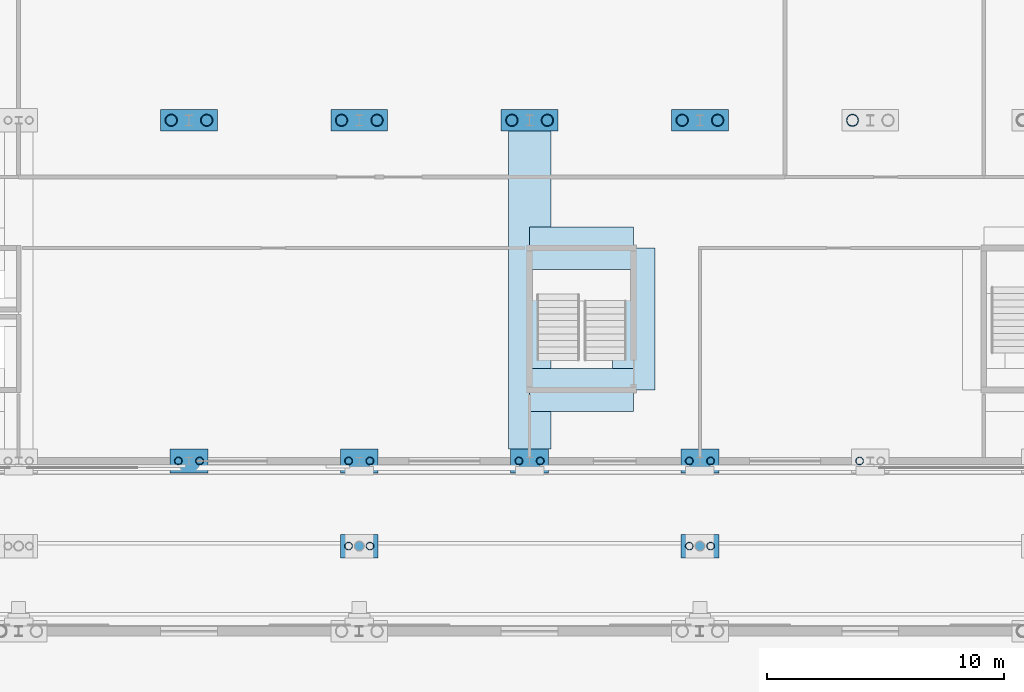
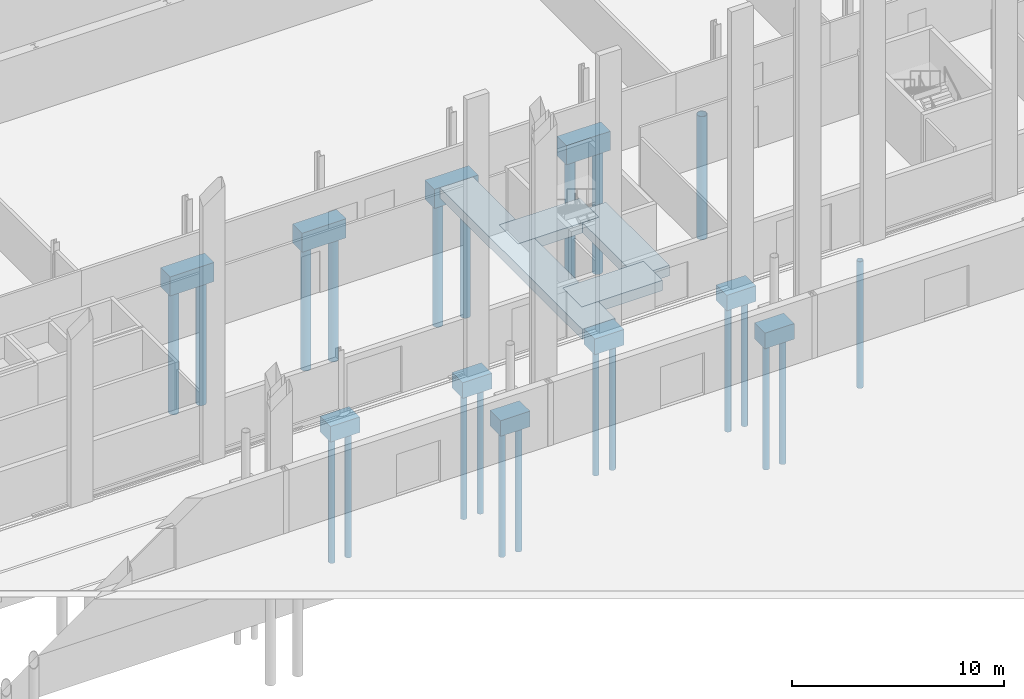
# One storey, part 30 of 148: 22 piles, 14 footings.
"""IFC4 building model written with IfcOpenShell, lengths in metres."""

import ifcopenshell
import ifcopenshell.guid

model = None  # the IFC model being written
_history = None  # IfcOwnerHistory: only IFC2X3 demands one
_inside = {}  # id of a spatial element -> (the spatial element, [elements in it])
_under = {}  # id of a project, library or spatial element -> (it, [spatial elements below it])
_declared = {}  # id of a project -> (the project, [libraries it declares])
_typed = {}  # id of a type object -> (the type object, [elements of that type])
_made_of = {}  # id of a material, layer set ... -> (it, [elements and type objects made of it])


def new_model(schema):
    """Start an empty IFC model of exactly this schema.

    Asked for "IFC4X3", IfcOpenShell would pick the latest addendum, in which some entities
    have other attributes; the version numbers below select the first issue.
    IFC2X3 requires an IfcOwnerHistory on every rooted entity: one is made here for all.
    """
    global model, _history
    if schema == "IFC4X3":
        model = ifcopenshell.file(schema_version=(4, 3, 0, 0))
    else:
        model = ifcopenshell.file(schema=schema)
    _inside.clear()
    _under.clear()
    _declared.clear()
    _typed.clear()
    _made_of.clear()
    _history = None
    if model.schema == "IFC2X3":
        org = make("IfcOrganization", Name="unknown")
        user = make(
            "IfcPersonAndOrganization",
            ThePerson=make("IfcPerson", FamilyName="unknown"),
            TheOrganization=org,
        )
        app = make(
            "IfcApplication",
            ApplicationDeveloper=org,
            Version="unknown",
            ApplicationFullName="unknown",
            ApplicationIdentifier="unknown",
        )
        _history = make(
            "IfcOwnerHistory",
            OwningUser=user,
            OwningApplication=app,
            ChangeAction="ADDED",
            CreationDate=0,
        )
    return model


def make(cls, **values):
    """One entity of the class cls with the attributes given. An attribute that is None is left unset."""
    return model.create_entity(
        cls, **{name: value for name, value in values.items() if value is not None}
    )


def rooted(cls, **values):
    """An entity with a GlobalId (a new one), such as an element, a storey or a relation."""
    return make(cls, GlobalId=ifcopenshell.guid.new(), OwnerHistory=_history, **values)


def si_unit(unit_type, name, prefix=None):
    """IfcSIUnit, for example si_unit("LENGTHUNIT", "METRE", prefix="MILLI")."""
    return make("IfcSIUnit", UnitType=unit_type, Prefix=prefix, Name=name)


def assignment(units):
    """IfcUnitAssignment: the units of a project."""
    return None if units is None else make("IfcUnitAssignment", Units=units)


def point(xyz):
    """IfcCartesianPoint."""
    return None if xyz is None else make("IfcCartesianPoint", Coordinates=xyz)


def direction(xyz):
    """IfcDirection."""
    return None if xyz is None else make("IfcDirection", DirectionRatios=xyz)


def frame(location, z_axis=None, x_axis=None):
    """IfcAxis2Placement3D, a coordinate frame: its origin and axes. An axis left out is left unset."""
    return make(
        "IfcAxis2Placement3D",
        Location=point(location),
        Axis=direction(z_axis),
        RefDirection=direction(x_axis),
    )


def frame_2d(location, x_axis=None):
    """IfcAxis2Placement2D, a coordinate frame in the plane: its origin and x axis."""
    return make(
        "IfcAxis2Placement2D", Location=point(location), RefDirection=direction(x_axis)
    )


def origin():
    """The frame at (0, 0, 0) with its axes left unset."""
    return frame((0.0, 0.0, 0.0))


def origin_2d():
    """The frame at (0, 0) in the plane with its x axis left unset."""
    return frame_2d((0.0, 0.0))


def place(relative_to, where):
    """IfcLocalPlacement: puts the frame where relative to a parent placement (None: the world)."""
    return make(
        "IfcLocalPlacement", PlacementRelTo=relative_to, RelativePlacement=where
    )


def context(
    kind, dimensions, precision=None, world=None, true_north=None, identifier=None
):
    """IfcGeometricRepresentationContext, for example the 3D "Model" context."""
    return make(
        "IfcGeometricRepresentationContext",
        ContextIdentifier=identifier,
        ContextType=kind,
        CoordinateSpaceDimension=dimensions,
        Precision=precision,
        WorldCoordinateSystem=world,
        TrueNorth=true_north,
    )


def subcontext(parent, identifier, kind, view, scale=None):
    """IfcGeometricRepresentationSubContext, for example "Body" below "Model"."""
    return make(
        "IfcGeometricRepresentationSubContext",
        ContextIdentifier=identifier,
        ContextType=kind,
        ParentContext=parent,
        TargetScale=scale,
        TargetView=view,
    )


def project(units=None, contexts=None):
    """IfcProject with its units and contexts."""
    return rooted(
        "IfcProject",
        Name="project",
        RepresentationContexts=contexts,
        UnitsInContext=assignment(units),
    )


def spatial(cls, under=None, at=None, **own):
    """A site, building, storey or space (cls), placed at a placement, below another one or the project."""
    s = rooted(cls, ObjectPlacement=at, **own)
    if under is not None:
        _under.setdefault(under.id(), (under, []))[1].append(s)
    return s


def profile(cls, at=None, kind="AREA", **sizes):
    """A parametric profile (cls). Its sizes go by their IFC names, for example OverallWidth=200.0."""
    return make(cls, ProfileType=kind, Position=at, **sizes)


def rectangle(**sizes):
    """IfcRectangleProfileDef."""
    return profile("IfcRectangleProfileDef", **sizes)


def hollow_circle(**sizes):
    """IfcCircleHollowProfileDef."""
    return profile("IfcCircleHollowProfileDef", **sizes)


def extrude(swept, where, along, depth):
    """IfcExtrudedAreaSolid: the profile swept, set in the frame where, extruded along a direction by depth."""
    return make(
        "IfcExtrudedAreaSolid",
        SweptArea=swept,
        Position=where,
        ExtrudedDirection=direction(along),
        Depth=depth,
    )


def shape(context_of_items, identifier, shape_type, items):
    """IfcShapeRepresentation: the items that make up one representation, for example the "Body"."""
    return make(
        "IfcShapeRepresentation",
        ContextOfItems=context_of_items,
        RepresentationIdentifier=identifier,
        RepresentationType=shape_type,
        Items=items,
    )


def material(Name=None, Category=None):
    """IfcMaterial."""
    return make("IfcMaterial", Name=Name, Category=Category)


def layer(
    of_material, thickness, ventilated=None, Name=None, Category=None, Priority=None
):
    """IfcMaterialLayer: one layer of a wall or slab, of a material (None: an air gap)."""
    return make(
        "IfcMaterialLayer",
        Material=of_material,
        LayerThickness=thickness,
        IsVentilated=ventilated,
        Name=Name,
        Category=Category,
        Priority=Priority,
    )


def layer_set(layers, Name=None):
    """IfcMaterialLayerSet."""
    return make("IfcMaterialLayerSet", MaterialLayers=layers, LayerSetName=Name)


def material_profile(
    of_material, cross_section, Name=None, Category=None, Priority=None
):
    """IfcMaterialProfile: a cross section and its material."""
    return make(
        "IfcMaterialProfile",
        Name=Name,
        Material=of_material,
        Profile=cross_section,
        Priority=Priority,
        Category=Category,
    )


def profile_set(profiles, Name=None, composite=None):
    """IfcMaterialProfileSet."""
    return make(
        "IfcMaterialProfileSet",
        Name=Name,
        MaterialProfiles=profiles,
        CompositeProfile=composite,
    )


def made_of(thing, what):
    """Note that an element or type object is made of a material, layer set ...; save() writes the relation."""
    if what is not None:
        _made_of.setdefault(what.id(), (what, []))[1].append(thing)
    return thing


def type_object(cls, material=None, **own):
    """A type object (cls), such as IfcWallType, which elements share."""
    return made_of(rooted(cls, **own), material)


def element(
    cls,
    number,
    at=None,
    inside=None,
    cuts=None,
    type_object=None,
    material=None,
    context=None,
    identifier="Body",
    shape_type=None,
    held_by="IfcProductDefinitionShape",
    body=None,
    shapes=None,
    **own,
):
    """One element of the class cls, such as IfcWall. Its Tag is "e" and its number.

    at: its placement. inside: the storey or other place that contains it. cuts: it is an
    opening in that element (IfcRelVoidsElement). A single representation is given by context,
    identifier, shape_type and body (its items); several are given by shapes. held_by: the class
    of the entity that holds the representations. save() writes the other relations.
    """
    e = rooted(cls, Tag="e%d" % number, ObjectPlacement=at, **own)
    if body is not None:
        shapes = [shape(context, identifier, shape_type, body)]
    if shapes is not None:
        e.Representation = make(held_by, Representations=shapes)
    if inside is not None:
        _inside.setdefault(inside.id(), (inside, []))[1].append(e)
    if cuts is not None:
        rooted(
            "IfcRelVoidsElement", RelatingBuildingElement=cuts, RelatedOpeningElement=e
        )
    if type_object is not None:
        _typed.setdefault(type_object.id(), (type_object, []))[1].append(e)
    return made_of(e, material)


def aggregate(whole, parts):
    """IfcRelAggregates: a whole, such as a stair, and the parts it consists of."""
    return rooted("IfcRelAggregates", RelatingObject=whole, RelatedObjects=parts)


def save(model, path):
    """Write the relations noted so far, then the file.

    IfcRelAggregates (storeys below a building ...), IfcRelContainedInSpatialStructure (elements
    in a storey), IfcRelDefinesByType, IfcRelAssociatesMaterial and IfcRelDeclares: one each for
    every whole, place, type object, material and project.
    """
    for whole, parts in _under.values():
        aggregate(whole, parts)
    for where, things in _inside.values():
        rooted(
            "IfcRelContainedInSpatialStructure",
            RelatedElements=things,
            RelatingStructure=where,
        )
    for kind, things in _typed.values():
        rooted("IfcRelDefinesByType", RelatedObjects=things, RelatingType=kind)
    for what, things in _made_of.values():
        rooted("IfcRelAssociatesMaterial", RelatedObjects=things, RelatingMaterial=what)
    for by, libraries in _declared.values():
        rooted("IfcRelDeclares", RelatingContext=by, RelatedDefinitions=libraries)
    model.write(path)


model = new_model("IFC4")

# Units and contexts
model_context = context("Model", 3, precision=1e-05, world=origin(), true_north=direction((0.0, 1.0)))
body_context = subcontext(model_context, "Body", "Model", "MODEL_VIEW")
ifc_project = project(units=[si_unit("LENGTHUNIT", "METRE"), si_unit("AREAUNIT", "SQUARE_METRE"), si_unit("VOLUMEUNIT", "CUBIC_METRE"), si_unit("PLANEANGLEUNIT", "RADIAN"), si_unit("MASSUNIT", "GRAM", prefix="KILO")], contexts=[model_context])

# Site, building, storey
site_placement = place(None, origin())
site = spatial("IfcSite", under=ifc_project, at=site_placement, CompositionType="ELEMENT")
building_placement = place(site_placement, origin())
building = spatial("IfcBuilding", under=site, at=building_placement, Name="Kupolbacken Congress Centre", CompositionType="ELEMENT")
storey_placement = place(building_placement, origin())
storey = spatial("IfcBuildingStorey", under=building, at=storey_placement, Name="L00", CompositionType="ELEMENT", Elevation=0.0)

# Footings
ifc_material_1 = material(Name="Concrete C30/37", Category="concrete")
ifc_layer_1 = layer(ifc_material_1, 1.10009765625)
ifc_layer_set_1 = layer_set([ifc_layer_1], Name="Concrete C30/37")
footing_type_1 = type_object("IfcFootingType", Name="PC2 pile cap 2.40 x 0.90 x 1.10 m", PredefinedType="PILE_CAP", material=ifc_layer_set_1)
for number, where, z_axis, x_axis, name in (
    (1, (158.39990234375, 136.800048828125, -1.400146484375), (0.0, 0.0, 1.0), (1.0, 0.0, 0.0), "S/fnd/C-B-M1/cap"),
    (2, (165.60009765625, 136.800048828125, -1.400146484375), (0.0, 0.0, 1.0), (1.0, 0.0, 0.0), "S/fnd/C-B-M2/cap"),
    (3, (172.800048828125, 136.800048828125, -1.400146484375), (0.0, 0.0, 1.0), (1.0, 0.0, 0.0), "S/fnd/C-B-M3/cap"),
    (4, (180.0, 136.800048828125, -1.400146484375), (0.0, 0.0, 1.0), (1.0, 0.0, 0.0), "S/fnd/C-B-M4/cap"),
):
    element("IfcFooting", number, at=place(storey_placement, frame(where, z_axis=z_axis, x_axis=x_axis)), inside=storey, type_object=footing_type_1, Name=name, PredefinedType="PILE_CAP", context=body_context, shape_type="SweptSolid", body=[
        extrude(rectangle(XDim=2.39990234375, YDim=0.89990234375, at=origin_2d()), origin(), (0.0, 0.0, 1.0), 1.10009765625),
    ])
ifc_material_2 = material(Name="Concrete C30/37", Category="concrete")
ifc_layer_2 = layer(ifc_material_2, 0.89990234375)
ifc_layer_set_2 = layer_set([ifc_layer_2], Name="Concrete C30/37")
footing_type_2 = type_object("IfcFootingType", Name="PC7 pile cap 1.60 x 1.00 x 0.90 m", PredefinedType="PILE_CAP", material=ifc_layer_set_2)
for number, where, z_axis, x_axis, name in (
    (5, (158.39990234375, 122.39990234375, -1.199951171875), (0.0, 0.0, 1.0), (1.0, 0.0, 0.0), "S/fnd/C-B-B2S/cap"),
    (6, (165.60009765625, 122.39990234375, -1.199951171875), (0.0, 0.0, 1.0), (1.0, 0.0, 0.0), "S/fnd/C-B-B3S/cap"),
    (7, (172.800048828125, 122.39990234375, -1.199951171875), (0.0, 0.0, 1.0), (1.0, 0.0, 0.0), "S/fnd/C-B-B4S/cap"),
    (8, (180.0, 122.39990234375, -1.199951171875), (0.0, 0.0, 1.0), (1.0, 0.0, 0.0), "S/fnd/C-B-B5S/cap"),
    (9, (165.60009765625, 118.800048828125, -1.199951171875), (0.0, 0.0, 1.0), (1.0, 0.0, 0.0), "MS/M6N/fnd/cap"),
    (10, (180.0, 118.800048828125, -1.199951171875), (0.0, 0.0, 1.0), (1.0, 0.0, 0.0), "MS/M7N/fnd/cap"),
):
    element("IfcFooting", number, at=place(storey_placement, frame(where, z_axis=z_axis, x_axis=x_axis)), inside=storey, type_object=footing_type_2, Name=name, PredefinedType="PILE_CAP", context=body_context, shape_type="SweptSolid", body=[
        extrude(rectangle(XDim=1.60009765625, YDim=1.0, at=origin_2d()), origin(), (0.0, 0.0, 1.0), 0.89990234375),
    ])

# Piles
ifc_material_3 = material(Name="Steel S355", Category="steel")
ifc_material_profile_1 = material_profile(ifc_material_3, hollow_circle(Radius=0.161865234375, WallThickness=0.012451171875, at=origin_2d()), Name="CHS 323.9 x 12.5")
ifc_profile_set_1 = profile_set([ifc_material_profile_1], Name="Steel S355")
pile_type_1 = type_object("IfcPileType", Name="PL1 steel tube pile CHS 323.9 x 12.5", PredefinedType="BORED", material=ifc_profile_set_1)
for number, where, z_axis, x_axis, name in (
    (11, (157.949951171875, 122.39990234375, -1.199951171875), (0.0, 0.0, -1.0), (1.0, 0.0, 0.0), "S/fnd/C-B-B2S/pile1"),
    (12, (158.85009765625, 122.39990234375, -1.199951171875), (0.0, 0.0, -1.0), (1.0, 0.0, 0.0), "S/fnd/C-B-B2S/pile2"),
    (13, (165.14990234375, 122.39990234375, -1.199951171875), (0.0, 0.0, -1.0), (1.0, 0.0, 0.0), "S/fnd/C-B-B3S/pile1"),
    (14, (166.050048828125, 122.39990234375, -1.199951171875), (0.0, 0.0, -1.0), (1.0, 0.0, 0.0), "S/fnd/C-B-B3S/pile2"),
    (15, (172.35009765625, 122.39990234375, -1.199951171875), (0.0, 0.0, -1.0), (1.0, 0.0, 0.0), "S/fnd/C-B-B4S/pile1"),
    (16, (173.25, 122.39990234375, -1.199951171875), (0.0, 0.0, -1.0), (1.0, 0.0, 0.0), "S/fnd/C-B-B4S/pile2"),
    (17, (179.550048828125, 122.39990234375, -1.199951171875), (0.0, 0.0, -1.0), (1.0, 0.0, 0.0), "S/fnd/C-B-B5S/pile1"),
    (18, (180.449951171875, 122.39990234375, -1.199951171875), (0.0, 0.0, -1.0), (1.0, 0.0, 0.0), "S/fnd/C-B-B5S/pile2"),
    (19, (186.75, 122.39990234375, -1.199951171875), (0.0, 0.0, -1.0), (1.0, 0.0, 0.0), "S/fnd/C-B-B6S/pile1"),
    (20, (165.14990234375, 118.800048828125, -1.199951171875), (0.0, 0.0, -1.0), (1.0, 0.0, 0.0), "MS/M6N/fnd/pile1"),
    (21, (166.050048828125, 118.800048828125, -1.199951171875), (0.0, 0.0, -1.0), (1.0, 0.0, 0.0), "MS/M6N/fnd/pile2"),
    (22, (179.550048828125, 118.800048828125, -1.199951171875), (0.0, 0.0, -1.0), (1.0, 0.0, 0.0), "MS/M7N/fnd/pile1"),
    (23, (180.449951171875, 118.800048828125, -1.199951171875), (0.0, 0.0, -1.0), (1.0, 0.0, 0.0), "MS/M7N/fnd/pile2"),
):
    element("IfcPile", number, at=place(storey_placement, frame(where, z_axis=z_axis, x_axis=x_axis)), inside=storey, type_object=pile_type_1, Name=name, PredefinedType="BORED", context=body_context, shape_type="SweptSolid", body=[
        extrude(hollow_circle(Radius=0.161865234375, WallThickness=0.012451171875, at=origin_2d()), origin(), (0.0, 0.0, 1.0), 7.300048828125),
    ])
ifc_material_4 = material(Name="Steel S355", Category="steel")
ifc_material_profile_2 = material_profile(ifc_material_4, hollow_circle(Radius=0.25390625, WallThickness=0.02001953125, at=origin_2d()), Name="CHS 508 x 20")
ifc_profile_set_2 = profile_set([ifc_material_profile_2], Name="Steel S355")
pile_type_2 = type_object("IfcPileType", Name="PL3 steel tube pile CHS 508 x 20", PredefinedType="BORED", material=ifc_profile_set_2)
for number, where, z_axis, x_axis, name in (
    (24, (157.64990234375, 136.800048828125, -1.39990234375), (0.0, 0.0, -1.0), (1.0, 0.0, 0.0), "S/fnd/C-B-M1/pile1"),
    (25, (159.14990234375, 136.800048828125, -1.39990234375), (0.0, 0.0, -1.0), (1.0, 0.0, 0.0), "S/fnd/C-B-M1/pile2"),
    (26, (164.85009765625, 136.800048828125, -1.39990234375), (0.0, 0.0, -1.0), (1.0, 0.0, 0.0), "S/fnd/C-B-M2/pile1"),
    (27, (166.35009765625, 136.800048828125, -1.39990234375), (0.0, 0.0, -1.0), (1.0, 0.0, 0.0), "S/fnd/C-B-M2/pile2"),
    (28, (172.050048828125, 136.800048828125, -1.39990234375), (0.0, 0.0, -1.0), (1.0, 0.0, 0.0), "S/fnd/C-B-M3/pile1"),
    (29, (173.550048828125, 136.800048828125, -1.39990234375), (0.0, 0.0, -1.0), (1.0, 0.0, 0.0), "S/fnd/C-B-M3/pile2"),
    (30, (179.25, 136.800048828125, -1.39990234375), (0.0, 0.0, -1.0), (1.0, 0.0, 0.0), "S/fnd/C-B-M4/pile1"),
    (31, (180.75, 136.800048828125, -1.39990234375), (0.0, 0.0, -1.0), (1.0, 0.0, 0.0), "S/fnd/C-B-M4/pile2"),
    (32, (186.449951171875, 136.800048828125, -1.39990234375), (0.0, 0.0, -1.0), (1.0, 0.0, 0.0), "S/fnd/C-B-M5/pile1"),
):
    element("IfcPile", number, at=place(storey_placement, frame(where, z_axis=z_axis, x_axis=x_axis)), inside=storey, type_object=pile_type_2, Name=name, PredefinedType="BORED", context=body_context, shape_type="SweptSolid", body=[
        extrude(hollow_circle(Radius=0.25390625, WallThickness=0.02001953125, at=origin_2d()), origin(), (0.0, 0.0, 1.0), 7.10009765625),
    ])

# Footings
ifc_material_5 = material(Name="Concrete C30/37", Category="concrete")
ifc_layer_3 = layer(ifc_material_5, 0.60009765625)
ifc_layer_set_3 = layer_set([ifc_layer_3], Name="Concrete C30/37")
footing_type_3 = type_object("IfcFootingType", Name="SF2 strip footing 1.80 x 0.60 m", PredefinedType="STRIP_FOOTING", material=ifc_layer_set_3)
footing_1_placement = place(storey_placement, frame((175.0, 125.39990234375, -0.900146484375), z_axis=(0.0, 0.0, 1.0), x_axis=(1.0, 0.0, 0.0)))
element("IfcFooting", 33, at=footing_1_placement, inside=storey, type_object=footing_type_3, Name="S/fnd/core/086", PredefinedType="STRIP_FOOTING", context=body_context, shape_type="SweptSolid", body=[
    extrude(rectangle(XDim=4.39990234375, YDim=1.800048828125, at=origin_2d()), origin(), (0.0, 0.0, 1.0), 0.60009765625),
])
footing_2_placement = place(storey_placement, frame((177.199951171875, 128.39990234375, -0.900146484375), z_axis=(0.0, 0.0, 1.0), x_axis=(0.0, 1.0, 0.0)))
element("IfcFooting", 34, at=footing_2_placement, inside=storey, type_object=footing_type_3, Name="S/fnd/core/087", PredefinedType="STRIP_FOOTING", context=body_context, shape_type="SweptSolid", body=[
    extrude(rectangle(XDim=6.0, YDim=1.800048828125, at=origin_2d()), origin(), (0.0, 0.0, 1.0), 0.60009765625),
])
footing_3_placement = place(storey_placement, frame((172.800048828125, 129.625, -0.900146484375), z_axis=(0.0, 0.0, 1.0), x_axis=(0.0, 1.0, 0.0)))
element("IfcFooting", 35, at=footing_3_placement, inside=storey, type_object=footing_type_3, Name="S/fnd/core/104", PredefinedType="STRIP_FOOTING", context=body_context, shape_type="SweptSolid", body=[
    extrude(rectangle(XDim=13.449951171875, YDim=1.800048828125, at=origin_2d()), origin(), (0.0, 0.0, 1.0), 0.60009765625),
])
footing_4_placement = place(storey_placement, frame((175.0, 131.39990234375, -0.900146484375), z_axis=(0.0, 0.0, 1.0), x_axis=(1.0, 0.0, 0.0)))
element("IfcFooting", 36, at=footing_4_placement, inside=storey, type_object=footing_type_3, Name="S/fnd/core/105", PredefinedType="STRIP_FOOTING", context=body_context, shape_type="SweptSolid", body=[
    extrude(rectangle(XDim=4.39990234375, YDim=1.800048828125, at=origin_2d()), origin(), (0.0, 0.0, 1.0), 0.60009765625),
])

save(model, "model.ifc")
